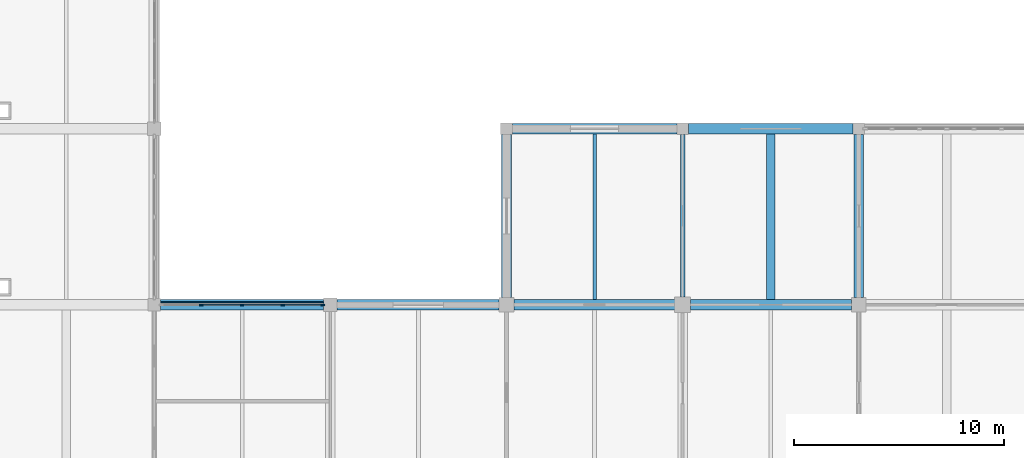
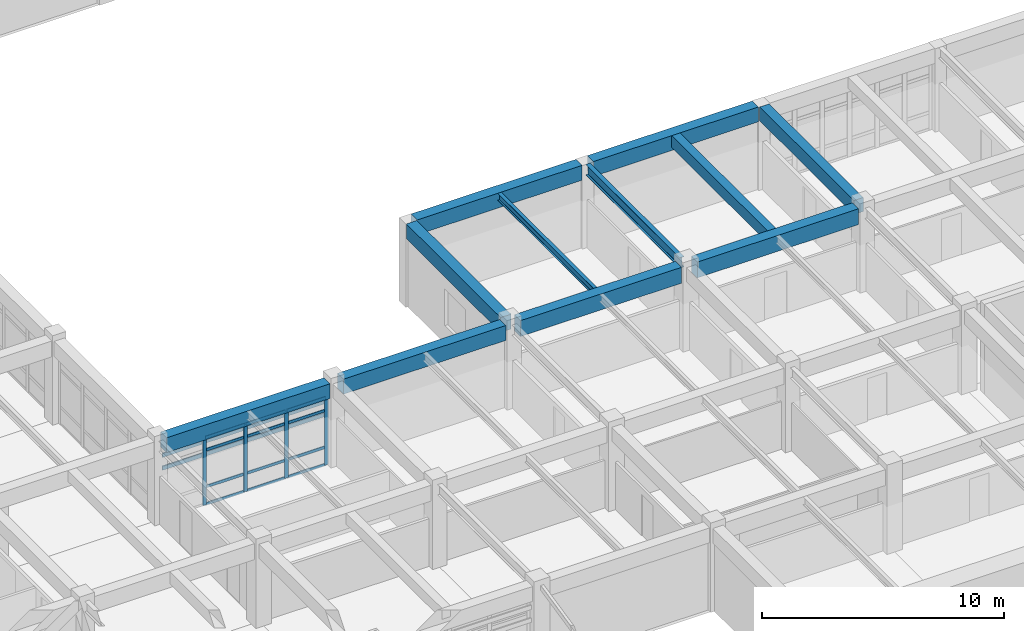
# One storey, part 50 of 99: 18 members, 11 beams, 1 element without a shape of its own.
"""IFC4 building model written with IfcOpenShell, lengths in metres."""

from ifc_helpers import new_model, si_unit, direction, frame, origin, origin_2d, place, context, subcontext, project, spatial, rectangle, i_section, extrude, material, layer, layer_set, material_profile, profile_set, type_object, element, aggregate, save


model = new_model("IFC4")

# Units and contexts
model_context = context("Model", 3, precision=1e-05, world=origin(), true_north=direction((0.0, 1.0)))
body_context = subcontext(model_context, "Body", "Model", "MODEL_VIEW")
ifc_project = project(units=[si_unit("LENGTHUNIT", "METRE"), si_unit("AREAUNIT", "SQUARE_METRE"), si_unit("VOLUMEUNIT", "CUBIC_METRE"), si_unit("PLANEANGLEUNIT", "RADIAN"), si_unit("MASSUNIT", "GRAM", prefix="KILO")], contexts=[model_context])

# Site, building, storey
site_placement = place(None, origin())
site = spatial("IfcSite", under=ifc_project, at=site_placement, CompositionType="ELEMENT")
building_placement = place(site_placement, origin())
building = spatial("IfcBuilding", under=site, at=building_placement, Name="Porcellanite Civic Hall", CompositionType="ELEMENT")
storey_placement = place(building_placement, frame((0.0, 0.0, 5.760009765625)))
storey = spatial("IfcBuildingStorey", under=building, at=storey_placement, Name="L01", CompositionType="ELEMENT", Elevation=5.760009765625)

# Beams
ifc_material_1 = material(Name="Concrete N50 (50 MPa)", Category="concrete")
ifc_material_profile_1 = material_profile(ifc_material_1, rectangle(XDim=0.39990234375, YDim=0.60009765625, at=origin_2d()), Name="RC-400x600")
ifc_profile_set_1 = profile_set([ifc_material_profile_1], Name="Concrete N50 (50 MPa)")
beam_type_1 = type_object("IfcBeamType", Name="BM-RC600", PredefinedType="JOIST", material=ifc_profile_set_1)
beam_1_placement = place(storey_placement, frame((155.39990234375, 67.449462890625, 3.89990234375), z_axis=(0.0, 1.0, 0.0), x_axis=(-1.0, 0.0, 0.0)))
element("IfcBeam", 1, at=beam_1_placement, inside=storey, type_object=beam_type_1, Name="Secondary joist L01 19-9", PredefinedType="JOIST", context=body_context, shape_type="SweptSolid", body=[
    extrude(rectangle(XDim=0.39990234375, YDim=0.60009765625, at=origin_2d()), origin(), (0.0, 0.0, 1.0), 7.901123046875),
])
ifc_material_2 = material(Name="Concrete N50 (50 MPa)", Category="concrete")
ifc_material_profile_2 = material_profile(ifc_material_2, rectangle(XDim=0.449951171875, YDim=0.699951171875, at=origin_2d()), Name="RC-450x700")
ifc_profile_set_2 = profile_set([ifc_material_profile_2], Name="Concrete N50 (50 MPa)")
beam_type_2 = type_object("IfcBeamType", Name="BM-RC700", PredefinedType="BEAM", material=ifc_profile_set_2)
beam_2_placement = place(storey_placement, frame((159.60009765625, 67.549560546875, 3.85009765625), z_axis=(0.0, 1.0, 0.0), x_axis=(-1.0, 0.0, 0.0)))
element("IfcBeam", 2, at=beam_2_placement, inside=storey, type_object=beam_type_2, Name="Beam Y L01 20-9", PredefinedType="BEAM", context=body_context, shape_type="SweptSolid", body=[
    extrude(rectangle(XDim=0.449951171875, YDim=0.699951171875, at=origin_2d()), origin(), (0.0, 0.0, 1.0), 7.77587890625),
])
ifc_material_3 = material(Name="Concrete N50 (50 MPa)", Category="concrete")
ifc_material_profile_3 = material_profile(ifc_material_3, rectangle(XDim=0.5, YDim=0.75, at=origin_2d()), Name="RC-500x750")
ifc_profile_set_3 = profile_set([ifc_material_profile_3], Name="Concrete N50 (50 MPa)")
beam_type_3 = type_object("IfcBeamType", Name="BM-RC750", PredefinedType="SPANDREL", material=ifc_profile_set_3)
beam_3_placement = place(storey_placement, frame((126.299560546875, 67.199951171875, 3.824951171875), z_axis=(1.0, 0.0, 0.0), x_axis=(0.0, 1.0, 0.0)))
element("IfcBeam", 3, at=beam_3_placement, inside=storey, type_object=beam_type_3, Name="Beam X L01 16-9", PredefinedType="SPANDREL", context=body_context, shape_type="SweptSolid", body=[
    extrude(rectangle(XDim=0.5, YDim=0.75, at=origin_2d()), origin(), (0.0, 0.0, 1.0), 7.77587890625),
])
beam_4_placement = place(storey_placement, frame((134.724609375, 67.199951171875, 3.824951171875), z_axis=(1.0, 0.0, 0.0), x_axis=(0.0, 1.0, 0.0)))
element("IfcBeam", 4, at=beam_4_placement, inside=storey, type_object=beam_type_3, Name="Beam X L01 17-9", PredefinedType="SPANDREL", context=body_context, shape_type="SweptSolid", body=[
    extrude(rectangle(XDim=0.5, YDim=0.75, at=origin_2d()), origin(), (0.0, 0.0, 1.0), 7.725830078125),
])
beam_5_placement = place(storey_placement, frame((143.074462890625, 75.60009765625, 3.824951171875), z_axis=(1.0, 0.0, 0.0), x_axis=(0.0, 1.0, 0.0)))
element("IfcBeam", 5, at=beam_5_placement, inside=storey, type_object=beam_type_3, Name="Beam X L01 18-10", PredefinedType="SPANDREL", context=body_context, shape_type="SweptSolid", body=[
    extrude(rectangle(XDim=0.5, YDim=0.75, at=origin_2d()), origin(), (0.0, 0.0, 1.0), 7.85107421875),
])
beam_6_placement = place(storey_placement, frame((151.474609375, 75.60009765625, 3.824951171875), z_axis=(1.0, 0.0, 0.0), x_axis=(0.0, 1.0, 0.0)))
element("IfcBeam", 6, at=beam_6_placement, inside=storey, type_object=beam_type_3, Name="Beam X L01 19-10", PredefinedType="SPANDREL", context=body_context, shape_type="SweptSolid", body=[
    extrude(rectangle(XDim=0.5, YDim=0.75, at=origin_2d()), origin(), (0.0, 0.0, 1.0), 7.850830078125),
])
beam_7_placement = place(storey_placement, frame((142.800048828125, 67.549560546875, 3.824951171875), z_axis=(0.0, 1.0, 0.0), x_axis=(-1.0, 0.0, 0.0)))
element("IfcBeam", 7, at=beam_7_placement, inside=storey, type_object=beam_type_3, Name="Beam Y L01 18-9", PredefinedType="SPANDREL", context=body_context, shape_type="SweptSolid", body=[
    extrude(rectangle(XDim=0.5, YDim=0.75, at=origin_2d()), origin(), (0.0, 0.0, 1.0), 7.77587890625),
])
ifc_material_4 = material(Name="Concrete N50 (50 MPa)", Category="concrete")
ifc_material_profile_4 = material_profile(ifc_material_4, rectangle(XDim=0.5, YDim=0.800048828125, at=origin_2d()), Name="RC-500x800")
ifc_profile_set_4 = profile_set([ifc_material_profile_4], Name="Concrete N50 (50 MPa)")
beam_type_4 = type_object("IfcBeamType", Name="BM-RC800", PredefinedType="BEAM", material=ifc_profile_set_4)
for number, where, z_axis, x_axis, name in (
    (8, (143.1494140625, 67.199951171875, 3.800048828125), (1.0, 0.0, 0.0), (0.0, 1.0, 0.0), "Beam X L01 18-9"),
    (9, (151.574462890625, 67.199951171875, 3.800048828125), (1.0, 0.0, 0.0), (0.0, 1.0, 0.0), "Beam X L01 19-9"),
):
    element("IfcBeam", number, at=place(storey_placement, frame(where, z_axis=z_axis, x_axis=x_axis)), inside=storey, type_object=beam_type_4, Name=name, PredefinedType="BEAM", context=body_context, shape_type="SweptSolid", body=[
        extrude(rectangle(XDim=0.5, YDim=0.800048828125, at=origin_2d()), origin(), (0.0, 0.0, 1.0), 7.676025390625),
    ])

# Curtain wall, members
ifc_material_5 = material(Name="Anodised aluminium and solar laminated glass", Category="aluminium")
ifc_layer = layer(ifc_material_5, 0.179931640625)
ifc_layer_set = layer_set([ifc_layer], Name="Anodised aluminium and solar laminated glass")
curtain_wall_type = type_object("IfcCurtainWallType", Name="CW-SYS06", PredefinedType="NOTDEFINED", material=ifc_layer_set)
curtain_wall_placement = place(storey_placement, origin())
curtain_wall = element("IfcCurtainWall", 10, at=curtain_wall_placement, inside=storey, type_object=curtain_wall_type, Name="Curtain wall CW-116", PredefinedType="NOTDEFINED")
ifc_material_6 = material(Name="Anodised aluminium 6063-T6", Category="aluminium")
ifc_material_profile_5 = material_profile(ifc_material_6, rectangle(XDim=0.06494140625, YDim=0.179931640625, at=origin_2d()), Name="AL-65x180")
ifc_profile_set_5 = profile_set([ifc_material_profile_5], Name="Anodised aluminium 6063-T6")
member_type_1 = type_object("IfcMemberType", Name="CWM-06", PredefinedType="MULLION", material=ifc_profile_set_5)
member_1_placement = place(storey_placement, frame((128.244140625, 67.199951171875, 0.0), z_axis=(0.0, 0.0, 1.0), x_axis=(0.0, 1.0, 0.0)))
member_1 = element("IfcMember", 11, at=member_1_placement, type_object=member_type_1, Name="CW-116 mullion 2", PredefinedType="MULLION", context=body_context, shape_type="SweptSolid", body=[
    extrude(rectangle(XDim=0.06494140625, YDim=0.179931640625, at=origin_2d()), origin(), (0.0, 0.0, 1.0), 3.39990234375),
])
member_2_placement = place(storey_placement, frame((130.1875, 67.199951171875, 0.0), z_axis=(0.0, 0.0, 1.0), x_axis=(0.0, 1.0, 0.0)))
member_2 = element("IfcMember", 12, at=member_2_placement, type_object=member_type_1, Name="CW-116 mullion 3", PredefinedType="MULLION", context=body_context, shape_type="SweptSolid", body=[
    extrude(rectangle(XDim=0.06494140625, YDim=0.179931640625, at=origin_2d()), origin(), (0.0, 0.0, 1.0), 3.39990234375),
])
member_3_placement = place(storey_placement, frame((132.130859375, 67.199951171875, 0.0), z_axis=(0.0, 0.0, 1.0), x_axis=(0.0, 1.0, 0.0)))
member_3 = element("IfcMember", 13, at=member_3_placement, type_object=member_type_1, Name="CW-116 mullion 4", PredefinedType="MULLION", context=body_context, shape_type="SweptSolid", body=[
    extrude(rectangle(XDim=0.06494140625, YDim=0.179931640625, at=origin_2d()), origin(), (0.0, 0.0, 1.0), 3.39990234375),
])
member_4_placement = place(storey_placement, frame((134.04150390625, 67.199951171875, 0.0), z_axis=(0.0, 0.0, 1.0), x_axis=(0.0, 1.0, 0.0)))
member_4 = element("IfcMember", 14, at=member_4_placement, type_object=member_type_1, Name="CW-116 mullion 5", PredefinedType="MULLION", context=body_context, shape_type="SweptSolid", body=[
    extrude(rectangle(XDim=0.06494140625, YDim=0.179931640625, at=origin_2d()), origin(), (0.0, 0.0, 1.0), 3.39990234375),
])
ifc_material_7 = material(Name="Anodised aluminium 6063-T6", Category="aluminium")
ifc_material_profile_6 = material_profile(ifc_material_7, rectangle(XDim=0.050048828125, YDim=0.139892578125, at=origin_2d()), Name="AL-50x140")
ifc_profile_set_6 = profile_set([ifc_material_profile_6], Name="Anodised aluminium 6063-T6")
member_type_2 = type_object("IfcMemberType", Name="CWT-06", PredefinedType="USERDEFINED", material=ifc_profile_set_6)
member_5_placement = place(storey_placement, frame((128.27685546875, 67.199951171875, 0.02490234375), z_axis=(1.0, 0.0, 0.0), x_axis=(0.0, 1.0, 0.0)))
member_5 = element("IfcMember", 15, at=member_5_placement, type_object=member_type_2, Name="CW-116 transom 2.1", ObjectType="TRANSOM", PredefinedType="USERDEFINED", context=body_context, shape_type="SweptSolid", body=[
    extrude(rectangle(XDim=0.050048828125, YDim=0.139892578125, at=origin_2d()), origin(), (0.0, 0.0, 1.0), 1.878173828125),
])
member_6_placement = place(storey_placement, frame((128.27685546875, 67.199951171875, 0.89990234375), z_axis=(1.0, 0.0, 0.0), x_axis=(0.0, 1.0, 0.0)))
member_6 = element("IfcMember", 16, at=member_6_placement, type_object=member_type_2, Name="CW-116 transom 2.2", ObjectType="TRANSOM", PredefinedType="USERDEFINED", context=body_context, shape_type="SweptSolid", body=[
    extrude(rectangle(XDim=0.050048828125, YDim=0.139892578125, at=origin_2d()), origin(), (0.0, 0.0, 1.0), 1.878173828125),
])
member_7_placement = place(storey_placement, frame((128.27685546875, 67.199951171875, 2.75), z_axis=(1.0, 0.0, 0.0), x_axis=(0.0, 1.0, 0.0)))
member_7 = element("IfcMember", 17, at=member_7_placement, type_object=member_type_2, Name="CW-116 transom 2.3", ObjectType="TRANSOM", PredefinedType="USERDEFINED", context=body_context, shape_type="SweptSolid", body=[
    extrude(rectangle(XDim=0.050048828125, YDim=0.139892578125, at=origin_2d()), origin(), (0.0, 0.0, 1.0), 1.878173828125),
])
member_8_placement = place(storey_placement, frame((128.27685546875, 67.199951171875, 3.375), z_axis=(1.0, 0.0, 0.0), x_axis=(0.0, 1.0, 0.0)))
member_8 = element("IfcMember", 18, at=member_8_placement, type_object=member_type_2, Name="CW-116 transom 2.4", ObjectType="TRANSOM", PredefinedType="USERDEFINED", context=body_context, shape_type="SweptSolid", body=[
    extrude(rectangle(XDim=0.050048828125, YDim=0.139892578125, at=origin_2d()), origin(), (0.0, 0.0, 1.0), 1.878173828125),
])
member_9_placement = place(storey_placement, frame((130.219970703125, 67.199951171875, 0.02490234375), z_axis=(1.0, 0.0, 0.0), x_axis=(0.0, 1.0, 0.0)))
member_9 = element("IfcMember", 19, at=member_9_placement, type_object=member_type_2, Name="CW-116 transom 3.1", ObjectType="TRANSOM", PredefinedType="USERDEFINED", context=body_context, shape_type="SweptSolid", body=[
    extrude(rectangle(XDim=0.050048828125, YDim=0.139892578125, at=origin_2d()), origin(), (0.0, 0.0, 1.0), 1.878173828125),
])
member_10_placement = place(storey_placement, frame((130.219970703125, 67.199951171875, 0.89990234375), z_axis=(1.0, 0.0, 0.0), x_axis=(0.0, 1.0, 0.0)))
member_10 = element("IfcMember", 20, at=member_10_placement, type_object=member_type_2, Name="CW-116 transom 3.2", ObjectType="TRANSOM", PredefinedType="USERDEFINED", context=body_context, shape_type="SweptSolid", body=[
    extrude(rectangle(XDim=0.050048828125, YDim=0.139892578125, at=origin_2d()), origin(), (0.0, 0.0, 1.0), 1.878173828125),
])
member_11_placement = place(storey_placement, frame((130.219970703125, 67.199951171875, 2.75), z_axis=(1.0, 0.0, 0.0), x_axis=(0.0, 1.0, 0.0)))
member_11 = element("IfcMember", 21, at=member_11_placement, type_object=member_type_2, Name="CW-116 transom 3.3", ObjectType="TRANSOM", PredefinedType="USERDEFINED", context=body_context, shape_type="SweptSolid", body=[
    extrude(rectangle(XDim=0.050048828125, YDim=0.139892578125, at=origin_2d()), origin(), (0.0, 0.0, 1.0), 1.878173828125),
])
member_12_placement = place(storey_placement, frame((130.219970703125, 67.199951171875, 3.375), z_axis=(1.0, 0.0, 0.0), x_axis=(0.0, 1.0, 0.0)))
member_12 = element("IfcMember", 22, at=member_12_placement, type_object=member_type_2, Name="CW-116 transom 3.4", ObjectType="TRANSOM", PredefinedType="USERDEFINED", context=body_context, shape_type="SweptSolid", body=[
    extrude(rectangle(XDim=0.050048828125, YDim=0.139892578125, at=origin_2d()), origin(), (0.0, 0.0, 1.0), 1.878173828125),
])
member_13_placement = place(storey_placement, frame((132.163330078125, 67.199951171875, 0.02490234375), z_axis=(1.0, 0.0, 0.0), x_axis=(0.0, 1.0, 0.0)))
member_13 = element("IfcMember", 23, at=member_13_placement, type_object=member_type_2, Name="CW-116 transom 4.1", ObjectType="TRANSOM", PredefinedType="USERDEFINED", context=body_context, shape_type="SweptSolid", body=[
    extrude(rectangle(XDim=0.050048828125, YDim=0.139892578125, at=origin_2d()), origin(), (0.0, 0.0, 1.0), 1.845703125),
])
member_14_placement = place(storey_placement, frame((132.163330078125, 67.199951171875, 0.89990234375), z_axis=(1.0, 0.0, 0.0), x_axis=(0.0, 1.0, 0.0)))
member_14 = element("IfcMember", 24, at=member_14_placement, type_object=member_type_2, Name="CW-116 transom 4.2", ObjectType="TRANSOM", PredefinedType="USERDEFINED", context=body_context, shape_type="SweptSolid", body=[
    extrude(rectangle(XDim=0.050048828125, YDim=0.139892578125, at=origin_2d()), origin(), (0.0, 0.0, 1.0), 1.845703125),
])
member_15_placement = place(storey_placement, frame((132.163330078125, 67.199951171875, 2.75), z_axis=(1.0, 0.0, 0.0), x_axis=(0.0, 1.0, 0.0)))
member_15 = element("IfcMember", 25, at=member_15_placement, type_object=member_type_2, Name="CW-116 transom 4.3", ObjectType="TRANSOM", PredefinedType="USERDEFINED", context=body_context, shape_type="SweptSolid", body=[
    extrude(rectangle(XDim=0.050048828125, YDim=0.139892578125, at=origin_2d()), origin(), (0.0, 0.0, 1.0), 1.845703125),
])
member_16_placement = place(storey_placement, frame((132.163330078125, 67.199951171875, 3.375), z_axis=(1.0, 0.0, 0.0), x_axis=(0.0, 1.0, 0.0)))
member_16 = element("IfcMember", 26, at=member_16_placement, type_object=member_type_2, Name="CW-116 transom 4.4", ObjectType="TRANSOM", PredefinedType="USERDEFINED", context=body_context, shape_type="SweptSolid", body=[
    extrude(rectangle(XDim=0.050048828125, YDim=0.139892578125, at=origin_2d()), origin(), (0.0, 0.0, 1.0), 1.845703125),
])
aggregate(curtain_wall, [member_1, member_2, member_3, member_4, member_5, member_6, member_7, member_8, member_9, member_10, member_11, member_12, member_13, member_14, member_15, member_16])

# Beam
ifc_material_8 = material(Name="Steel Grade 350", Category="steel")
ifc_material_profile_7 = material_profile(ifc_material_8, i_section(OverallWidth=0.1708984375, OverallDepth=0.35595703125, WebThickness=0.00732421875, FlangeThickness=0.011474609375, FilletRadius=0.011474609375, at=origin_2d()), Name="360UB50.7")
ifc_profile_set_7 = profile_set([ifc_material_profile_7], Name="Steel Grade 350")
beam_type_5 = type_object("IfcBeamType", Name="JST-360UB51", PredefinedType="JOIST", material=ifc_profile_set_7)
beam_8_placement = place(storey_placement, frame((147.0, 67.449462890625, 4.02197265625), z_axis=(0.0, 1.0, 0.0), x_axis=(-1.0, 0.0, 0.0)))
element("IfcBeam", 27, at=beam_8_placement, inside=storey, type_object=beam_type_5, Name="Secondary joist L01 18-9", PredefinedType="JOIST", context=body_context, shape_type="SweptSolid", body=[
    extrude(i_section(OverallWidth=0.1708984375, OverallDepth=0.35595703125, WebThickness=0.00732421875, FlangeThickness=0.011474609375, FilletRadius=0.011474609375, at=origin_2d()), origin(), (0.0, 0.0, 1.0), 7.901123046875),
])

# Members
ifc_material_9 = material(Name="Fluoropolymer bauxite-red aluminium 6063-T6", Category="aluminium")
ifc_material_profile_8 = material_profile(ifc_material_9, rectangle(XDim=0.054931640625, YDim=0.199951171875, at=origin_2d()), Name="AL-55x200")
ifc_profile_set_8 = profile_set([ifc_material_profile_8], Name="Fluoropolymer bauxite-red aluminium 6063-T6")
member_type_3 = type_object("IfcMemberType", Name="LV-BLD09", PredefinedType="USERDEFINED", material=ifc_profile_set_8)
for number, where, z_axis, x_axis, name in (
    (28, (126.299560546875, 67.319580078125, 3.10009765625), (1.0, 0.0, 0.0), (0.0, 1.0, 0.0), "Cyclone sunshade louvre L01 N 15-7 1"),
    (29, (126.299560546875, 67.319580078125, 2.449951171875), (1.0, 0.0, 0.0), (0.0, 1.0, 0.0), "Cyclone sunshade louvre L01 N 15-7 2"),
):
    element("IfcMember", number, at=place(storey_placement, frame(where, z_axis=z_axis, x_axis=x_axis)), inside=storey, type_object=member_type_3, Name=name, ObjectType="LOUVRE BLADE", PredefinedType="USERDEFINED", context=body_context, shape_type="SweptSolid", body=[
        extrude(rectangle(XDim=0.054931640625, YDim=0.199951171875, at=origin_2d()), origin(), (0.0, 0.0, 1.0), 7.77587890625),
    ])

# Beam
ifc_material_10 = material(Name="Steel Grade 350", Category="steel")
ifc_material_profile_9 = material_profile(ifc_material_10, i_section(OverallWidth=0.208984375, OverallDepth=0.528076171875, WebThickness=0.009521484375, FlangeThickness=0.01318359375, FilletRadius=0.013916015625, at=origin_2d()), Name="530UB82.0")
ifc_profile_set_9 = profile_set([ifc_material_profile_9], Name="Steel Grade 350")
beam_type_6 = type_object("IfcBeamType", Name="RAF-530UB82", PredefinedType="BEAM", material=ifc_profile_set_9)
beam_9_placement = place(storey_placement, frame((151.199951171875, 67.574462890625, 3.93603515625), z_axis=(0.0, 1.0, 0.0), x_axis=(-1.0, 0.0, 0.0)))
element("IfcBeam", 30, at=beam_9_placement, inside=storey, type_object=beam_type_6, Name="Beam Y L01 19-9", PredefinedType="BEAM", context=body_context, shape_type="SweptSolid", body=[
    extrude(i_section(OverallWidth=0.208984375, OverallDepth=0.528076171875, WebThickness=0.009521484375, FlangeThickness=0.01318359375, FilletRadius=0.013916015625, at=origin_2d()), origin(), (0.0, 0.0, 1.0), 7.7509765625),
])

save(model, "model.ifc")
